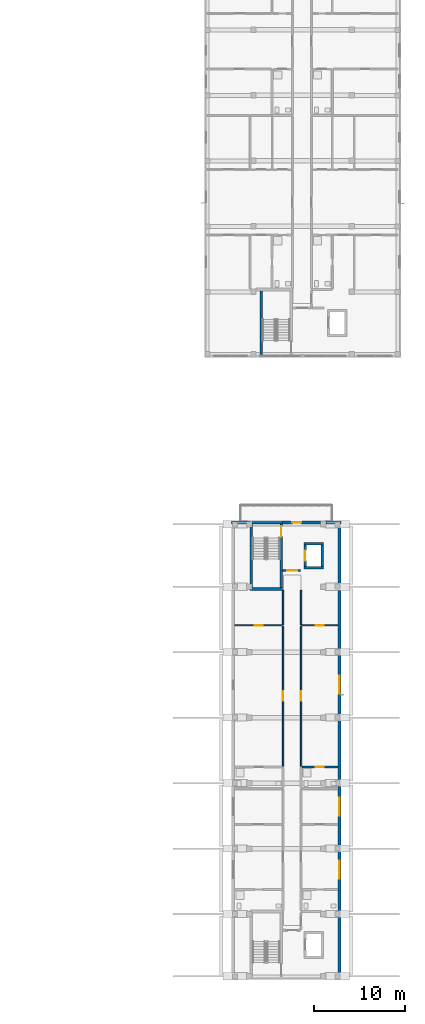
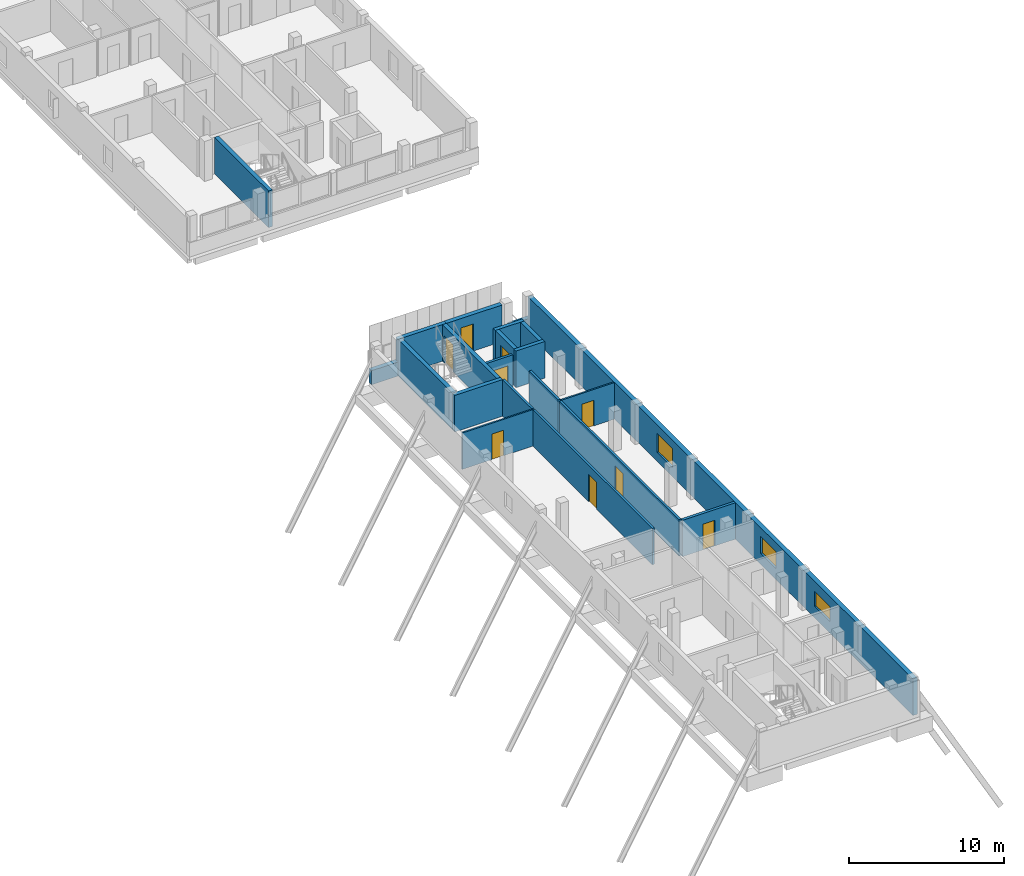
# One storey, part 18 of 34: 21 walls, 9 doors, 3 windows, 12 openings.
"""IFC4 building model written with IfcOpenShell, lengths in metres."""

from ifc_helpers import new_model, si_unit, derived_unit, direction, frame, frame_2d, origin, place, context, subcontext, project, spatial, rectangle, extrude, material, layer, layer_set, type_object, element, fill, save


model = new_model("IFC4")

# Units and contexts
model_context = context("Model", 3, precision=1e-05, world=origin(), true_north=direction((0.0, 1.0)))
body_context = subcontext(model_context, "Body", "Model", "MODEL_VIEW")
ifc_project = project(units=[si_unit("LENGTHUNIT", "METRE"), si_unit("AREAUNIT", "SQUARE_METRE"), si_unit("VOLUMEUNIT", "CUBIC_METRE"), si_unit("PLANEANGLEUNIT", "RADIAN"), si_unit("MASSUNIT", "GRAM", prefix="KILO"), derived_unit("THERMALTRANSMITTANCEUNIT", [(si_unit("MASSUNIT", "GRAM", prefix="KILO"), 1), (si_unit("TIMEUNIT", "SECOND"), -3), (si_unit("THERMODYNAMICTEMPERATUREUNIT", "KELVIN"), -1)])], contexts=[model_context])

# Site, building, storey
site_placement = place(None, origin())
site = spatial("IfcSite", under=ifc_project, at=site_placement, CompositionType="ELEMENT")
building_placement = place(site_placement, origin())
building = spatial("IfcBuilding", under=site, at=building_placement, Name="Ochrekiln Boulevard Commons", CompositionType="ELEMENT")
storey_placement = place(building_placement, frame((0.0, 0.0, 27.824951171875)))
storey = spatial("IfcBuildingStorey", under=building, at=storey_placement, Name="L08", CompositionType="ELEMENT", Elevation=27.824951171875)

# Wall, openings, windows
ifc_material_1 = material(Name="Desert ochre clinker brick masonry ASTM C216 Grade SW", Category="masonry")
ifc_layer_1 = layer(ifc_material_1, 0.330078125)
ifc_layer_set_1 = layer_set([ifc_layer_1], Name="Desert ochre clinker brick masonry ASTM C216 Grade SW")
wall_type_1 = type_object("IfcWallType", Name="WL-EXT-OCHRE-330", PredefinedType="SOLIDWALL", material=ifc_layer_set_1)
wall_1_placement = place(storey_placement, frame((166.034912109375, 0.330078125, 0.0), z_axis=(0.0, 0.0, 1.0), x_axis=(0.0, 1.0, 0.0)))
wall_1 = element("IfcWall", 1, at=wall_1_placement, inside=storey, type_object=wall_type_1, Name="Block C L08 E Exterior Wall", PredefinedType="SOLIDWALL", context=body_context, shape_type="SweptSolid", body=[
    extrude(rectangle(XDim=49.739990234375, YDim=0.330078125, at=frame_2d((24.8701171875, 0.0))), origin(), (0.0, 0.0, 1.0), 2.89013671875),
])
opening_1_placement = place(wall_1_placement, frame((10.72509765625, 0.0, 0.89990234375)))
opening_1 = element("IfcOpeningElement", 2, at=opening_1_placement, cuts=wall_1, Name="Opening W-46", PredefinedType="OPENING", context=body_context, shape_type="SweptSolid", body=[
    extrude(rectangle(XDim=2.0, YDim=1.199951171875, at=frame_2d((1.0, 0.60009765625))), frame((0.0, 0.175048828125, 0.0), z_axis=(0.0, -1.0, 0.0), x_axis=(1.0, 0.0, 0.0)), (0.0, 0.0, 1.0), 0.35009765625),
])
opening_2_placement = place(wall_1_placement, frame((17.6708984375, 0.0, 0.85498046875)))
opening_2 = element("IfcOpeningElement", 3, at=opening_2_placement, cuts=wall_1, Name="Opening W-47", PredefinedType="OPENING", context=body_context, shape_type="SweptSolid", body=[
    extrude(rectangle(XDim=2.0, YDim=1.35009765625, at=frame_2d((1.0, 0.675048828125))), frame((0.0, 0.175048828125, 0.0), z_axis=(0.0, -1.0, 0.0), x_axis=(1.0, 0.0, 0.0)), (0.0, 0.0, 1.0), 0.35009765625),
])
opening_3_placement = place(wall_1_placement, frame((31.070068359375, 0.0, 0.705078125)))
opening_3 = element("IfcOpeningElement", 4, at=opening_3_placement, cuts=wall_1, Name="Opening W-48", PredefinedType="OPENING", context=body_context, shape_type="SweptSolid", body=[
    extrude(rectangle(XDim=2.0, YDim=1.5, at=frame_2d((1.0, 0.75))), frame((0.0, 0.175048828125, 0.0), z_axis=(0.0, -1.0, 0.0), x_axis=(1.0, 0.0, 0.0)), (0.0, 0.0, 1.0), 0.35009765625),
])
ifc_material_2 = material(Name="Thermally broken aluminium-clad oak frame", Category="aluminium")
window_type_1 = type_object("IfcWindowType", Name="WIN-EXT-46", PartitioningType="DOUBLE_PANEL_VERTICAL", PredefinedType="WINDOW", material=ifc_material_2)
window_1_placement = place(opening_1_placement, origin())
window_1 = element("IfcWindow", 5, at=window_1_placement, inside=storey, type_object=window_type_1, Name="Block C L08 Punched Masonry Window W-46", OverallHeight=1.199951171875, OverallWidth=2.0, PartitioningType="DOUBLE_PANEL_VERTICAL", PredefinedType="WINDOW", context=body_context, shape_type="SweptSolid", body=[
    extrude(rectangle(XDim=2.0, YDim=1.199951171875, at=frame_2d((1.0, 0.60009765625))), frame((0.0, 0.030029296875, 0.0), z_axis=(0.0, -1.0, 0.0), x_axis=(1.0, 0.0, 0.0)), (0.0, 0.0, 1.0), 0.06005859375),
])
fill(opening_1, window_1)
window_type_2 = type_object("IfcWindowType", Name="WIN-EXT-47", PartitioningType="DOUBLE_PANEL_VERTICAL", PredefinedType="WINDOW", material=ifc_material_2)
window_2_placement = place(opening_2_placement, origin())
window_2 = element("IfcWindow", 6, at=window_2_placement, inside=storey, type_object=window_type_2, Name="Block C L08 Punched Masonry Window W-47", OverallHeight=1.35009765625, OverallWidth=2.0, PartitioningType="DOUBLE_PANEL_VERTICAL", PredefinedType="WINDOW", context=body_context, shape_type="SweptSolid", body=[
    extrude(rectangle(XDim=2.0, YDim=1.35009765625, at=frame_2d((1.0, 0.675048828125))), frame((0.0, 0.030029296875, 0.0), z_axis=(0.0, -1.0, 0.0), x_axis=(1.0, 0.0, 0.0)), (0.0, 0.0, 1.0), 0.06005859375),
])
fill(opening_2, window_2)
window_type_3 = type_object("IfcWindowType", Name="WIN-EXT-48", PartitioningType="DOUBLE_PANEL_VERTICAL", PredefinedType="WINDOW", material=ifc_material_2)
window_3_placement = place(opening_3_placement, origin())
window_3 = element("IfcWindow", 7, at=window_3_placement, inside=storey, type_object=window_type_3, Name="Block C L08 Punched Masonry Window W-48", OverallHeight=1.5, OverallWidth=2.0, PartitioningType="DOUBLE_PANEL_VERTICAL", PredefinedType="WINDOW", context=body_context, shape_type="SweptSolid", body=[
    extrude(rectangle(XDim=2.0, YDim=1.5, at=frame_2d((1.0, 0.75))), frame((0.0, 0.030029296875, 0.0), z_axis=(0.0, -1.0, 0.0), x_axis=(1.0, 0.0, 0.0)), (0.0, 0.0, 1.0), 0.06005859375),
])
fill(opening_3, window_3)

# Wall, opening, door
wall_2_placement = place(storey_placement, frame((159.800048828125, 50.235107421875, 0.0), z_axis=(0.0, 0.0, 1.0), x_axis=(1.0, 0.0, 0.0)))
wall_2 = element("IfcWall", 8, at=wall_2_placement, inside=storey, type_object=wall_type_1, Name="Block C L08 North Balcony Door Wall", PredefinedType="SOLIDWALL", context=body_context, shape_type="SweptSolid", body=[
    extrude(rectangle(XDim=4.14990234375, YDim=0.330078125, at=frame_2d((2.074951171875, 0.0))), origin(), (0.0, 0.0, 1.0), 2.89013671875),
])
opening_4_placement = place(wall_2_placement, frame((1.074951171875, 0.0, 0.0)))
opening_4 = element("IfcOpeningElement", 9, at=opening_4_placement, cuts=wall_2, Name="Opening D-L08-CBL", PredefinedType="OPENING", context=body_context, shape_type="SweptSolid", body=[
    extrude(rectangle(XDim=0.949951171875, YDim=2.14990234375, at=frame_2d((0.47509765625, 1.074951171875))), frame((0.0, 0.175048828125, 0.0), z_axis=(0.0, -1.0, 0.0), x_axis=(1.0, 0.0, 0.0)), (0.0, 0.0, 1.0), 0.35009765625),
])
door_type_1 = type_object("IfcDoorType", Name="DR-EXT-BAL-095", OperationType="NOTDEFINED", PredefinedType="DOOR", material=ifc_material_2)
door_1_placement = place(opening_4_placement, origin())
door_1 = element("IfcDoor", 10, at=door_1_placement, inside=storey, type_object=door_type_1, Name="Block C L08 North Courtyard Balcony Door", OperationType="SINGLE_SWING_LEFT", OverallHeight=2.14990234375, OverallWidth=0.949951171875, PredefinedType="DOOR", context=body_context, shape_type="SweptSolid", body=[
    extrude(rectangle(XDim=0.949951171875, YDim=2.14990234375, at=frame_2d((0.47509765625, 1.074951171875))), frame((0.0, 0.02490234375, 0.0), z_axis=(0.0, -1.0, 0.0), x_axis=(1.0, 0.0, 0.0)), (0.0, 0.0, 1.0), 0.050048828125),
])
fill(opening_4, door_1)

# Walls
wall_3_placement = place(storey_placement, frame((154.199951171875, 50.235107421875, 0.0), z_axis=(0.0, 0.0, 1.0), x_axis=(1.0, 0.0, 0.0)))
element("IfcWall", 11, at=wall_3_placement, inside=storey, type_object=wall_type_1, Name="Block C L08 Courtyard Gable Sill Wall L", PredefinedType="SOLIDWALL", context=body_context, shape_type="SweptSolid", body=[
    extrude(rectangle(XDim=2.0, YDim=0.330078125, at=frame_2d((1.0, 0.0))), origin(), (0.0, 0.0, 1.0), 1.110107421875),
])
wall_4_placement = place(storey_placement, frame((164.550048828125, 50.235107421875, 0.0), z_axis=(0.0, 0.0, 1.0), x_axis=(1.0, 0.0, 0.0)))
element("IfcWall", 12, at=wall_4_placement, inside=storey, type_object=wall_type_1, Name="Block C L08 Courtyard Gable Sill Wall R", PredefinedType="SOLIDWALL", context=body_context, shape_type="SweptSolid", body=[
    extrude(rectangle(XDim=1.64990234375, YDim=0.330078125, at=frame_2d((0.824951171875, 0.0))), origin(), (0.0, 0.0, 1.0), 1.110107421875),
])

# Wall, opening, door
ifc_material_3 = material(Name="Moisture-resistant cementitious tile backer wall")
ifc_layer_2 = layer(ifc_material_3, 0.199951171875)
ifc_layer_set_2 = layer_set([ifc_layer_2], Name="Moisture-resistant cementitious tile backer wall")
wall_type_2 = type_object("IfcWallType", Name="WL-PLM-200", PredefinedType="PLUMBINGWALL", material=ifc_layer_set_2)
wall_5_placement = place(storey_placement, frame((161.923095703125, 23.365966796875, 0.0), z_axis=(0.0, 0.0, 1.0), x_axis=(1.0, 0.0, 0.0)))
wall_5 = element("IfcWall", 13, at=wall_5_placement, inside=storey, type_object=wall_type_2, Name="L08 Interior Wall W-PW200", PredefinedType="PLUMBINGWALL", context=body_context, shape_type="SweptSolid", body=[
    extrude(rectangle(XDim=3.947021484375, YDim=0.199951171875, at=frame_2d((1.9736328125, 0.0))), origin(), (0.0, 0.0, 1.0), 2.8701171875),
])
opening_5_placement = place(wall_5_placement, frame((1.52197265625, 0.0, 0.0)))
opening_5 = element("IfcOpeningElement", 14, at=opening_5_placement, cuts=wall_5, Name="Opening D-L08-1073", PredefinedType="OPENING", context=body_context, shape_type="SweptSolid", body=[
    extrude(rectangle(XDim=0.889892578125, YDim=2.030029296875, at=frame_2d((0.44482421875, 1.01513671875))), frame((0.0, 0.10986328125, 0.0), z_axis=(0.0, -1.0, 0.0), x_axis=(1.0, 0.0, 0.0)), (0.0, 0.0, 1.0), 0.219970703125),
])
ifc_material_4 = material(Name="Solid core architectural oak door leaf")
door_type_2 = type_object("IfcDoorType", Name="DR-INT-BTH-089", OperationType="NOTDEFINED", PredefinedType="DOOR", material=ifc_material_4)
door_2_placement = place(opening_5_placement, frame((0.889892578125, 0.0, 0.0), z_axis=(0.0, 0.0, 1.0), x_axis=(-1.0, 0.0, 0.0)))
door_2 = element("IfcDoor", 15, at=door_2_placement, inside=storey, type_object=door_type_2, Name="L08 Interior Door to Loft Bathroom", OperationType="SINGLE_SWING_LEFT", OverallHeight=2.030029296875, OverallWidth=0.889892578125, PredefinedType="DOOR", context=body_context, shape_type="SweptSolid", body=[
    extrude(rectangle(XDim=0.889892578125, YDim=2.030029296875, at=frame_2d((0.44482421875, 1.01513671875))), frame((0.0, 0.02490234375, 0.0), z_axis=(0.0, -1.0, 0.0), x_axis=(1.0, 0.0, 0.0)), (0.0, 0.0, 1.0), 0.050048828125),
])
fill(opening_5, door_2)

ifc_material_5 = material(Name="Fire-rated Type X gypsum board on steel studs", Category="steel")
ifc_layer_3 = layer(ifc_material_5, 0.1650390625)
ifc_layer_set_3 = layer_set([ifc_layer_3], Name="Fire-rated Type X gypsum board on steel studs")
wall_type_3 = type_object("IfcWallType", Name="WL-PT-CORR-165", PredefinedType="PARTITIONING", material=ifc_layer_set_3)
wall_6_placement = place(storey_placement, frame((159.860107421875, 23.446044921875, 0.0), z_axis=(0.0, 0.0, 1.0), x_axis=(0.0, 1.0, 0.0)))
wall_6 = element("IfcWall", 16, at=wall_6_placement, inside=storey, type_object=wall_type_3, Name="L08 Interior Wall W-PC165", PredefinedType="PARTITIONING", context=body_context, shape_type="SweptSolid", body=[
    extrude(rectangle(XDim=15.424072265625, YDim=0.1650390625, at=frame_2d((7.7119140625, 0.0))), origin(), (0.0, 0.0, 1.0), 2.8701171875),
])
opening_6_placement = place(wall_6_placement, frame((7.18701171875, 0.0, 0.0)))
opening_6 = element("IfcOpeningElement", 17, at=opening_6_placement, cuts=wall_6, Name="Opening D-L08-1064", PredefinedType="OPENING", context=body_context, shape_type="SweptSolid", body=[
    extrude(rectangle(XDim=1.050048828125, YDim=2.1298828125, at=frame_2d((0.52490234375, 1.06494140625))), frame((0.0, 0.092529296875, 0.0), z_axis=(0.0, -1.0, 0.0), x_axis=(1.0, 0.0, 0.0)), (0.0, 0.0, 1.0), 0.18505859375),
])
door_type_3 = type_object("IfcDoorType", Name="DR-INT-APT-105", OperationType="NOTDEFINED", PredefinedType="DOOR", material=ifc_material_4)
door_3_placement = place(opening_6_placement, origin())
door_3 = element("IfcDoor", 18, at=door_3_placement, inside=storey, type_object=door_type_3, Name="L08 Interior Door to Loft Living Room", OperationType="SINGLE_SWING_RIGHT", OverallHeight=2.1298828125, OverallWidth=1.050048828125, PredefinedType="DOOR", context=body_context, shape_type="SweptSolid", body=[
    extrude(rectangle(XDim=1.050048828125, YDim=2.1298828125, at=frame_2d((0.52490234375, 1.06494140625))), frame((0.0, 0.02490234375, 0.0), z_axis=(0.0, -1.0, 0.0), x_axis=(1.0, 0.0, 0.0)), (0.0, 0.0, 1.0), 0.050048828125),
])
fill(opening_6, door_3)

# Wall
wall_7_placement = place(storey_placement, frame((159.860107421875, 39.030029296875, 0.0), z_axis=(0.0, 0.0, 1.0), x_axis=(0.0, 1.0, 0.0)))
element("IfcWall", 19, at=wall_7_placement, inside=storey, type_object=wall_type_3, Name="L08 Interior Wall W-PC165", PredefinedType="PARTITIONING", context=body_context, shape_type="SweptSolid", body=[
    extrude(rectangle(XDim=3.77001953125, YDim=0.1650390625, at=frame_2d((1.885009765625, 0.0))), origin(), (0.0, 0.0, 1.0), 2.8701171875),
])

# Wall, opening, door
wall_8_placement = place(storey_placement, frame((161.840087890625, 23.446044921875, 0.0), z_axis=(0.0, 0.0, 1.0), x_axis=(0.0, 1.0, 0.0)))
wall_8 = element("IfcWall", 20, at=wall_8_placement, inside=storey, type_object=wall_type_3, Name="L08 Interior Wall W-PC165", PredefinedType="PARTITIONING", context=body_context, shape_type="SweptSolid", body=[
    extrude(rectangle(XDim=15.424072265625, YDim=0.1650390625, at=frame_2d((7.7119140625, 0.0))), origin(), (0.0, 0.0, 1.0), 2.8701171875),
])
opening_7_placement = place(wall_8_placement, frame((7.18701171875, 0.0, 0.0)))
opening_7 = element("IfcOpeningElement", 21, at=opening_7_placement, cuts=wall_8, Name="Opening D-L08-1066", PredefinedType="OPENING", context=body_context, shape_type="SweptSolid", body=[
    extrude(rectangle(XDim=1.050048828125, YDim=2.1298828125, at=frame_2d((0.52490234375, 1.06494140625))), frame((0.0, 0.092529296875, 0.0), z_axis=(0.0, -1.0, 0.0), x_axis=(1.0, 0.0, 0.0)), (0.0, 0.0, 1.0), 0.18505859375),
])
door_4_placement = place(opening_7_placement, frame((1.050048828125, 0.0, 0.0), z_axis=(0.0, 0.0, 1.0), x_axis=(-1.0, 0.0, 0.0)))
door_4 = element("IfcDoor", 22, at=door_4_placement, inside=storey, type_object=door_type_3, Name="L08 Interior Door to Loft Living Room", OperationType="SINGLE_SWING_RIGHT", OverallHeight=2.1298828125, OverallWidth=1.050048828125, PredefinedType="DOOR", context=body_context, shape_type="SweptSolid", body=[
    extrude(rectangle(XDim=1.050048828125, YDim=2.1298828125, at=frame_2d((0.52490234375, 1.06494140625))), frame((0.0, 0.02490234375, 0.0), z_axis=(0.0, -1.0, 0.0), x_axis=(1.0, 0.0, 0.0)), (0.0, 0.0, 1.0), 0.050048828125),
])
fill(opening_7, door_4)

# Wall
wall_9_placement = place(storey_placement, frame((161.840087890625, 39.030029296875, 0.0), z_axis=(0.0, 0.0, 1.0), x_axis=(0.0, 1.0, 0.0)))
element("IfcWall", 23, at=wall_9_placement, inside=storey, type_object=wall_type_3, Name="L08 Interior Wall W-PC165", PredefinedType="PARTITIONING", context=body_context, shape_type="SweptSolid", body=[
    extrude(rectangle(XDim=3.77001953125, YDim=0.1650390625, at=frame_2d((1.885009765625, 0.0))), origin(), (0.0, 0.0, 1.0), 2.8701171875),
])

# Wall, opening, door
ifc_layer_4 = layer(ifc_material_5, 0.18994140625)
ifc_layer_set_4 = layer_set([ifc_layer_4], Name="Fire-rated Type X gypsum board on steel studs")
wall_type_4 = type_object("IfcWallType", Name="WL-PT-LBY-190", PredefinedType="PARTITIONING", material=ifc_layer_set_4)
wall_10_placement = place(storey_placement, frame((159.800048828125, 44.97998046875, 0.0), z_axis=(0.0, 0.0, 1.0), x_axis=(1.0, 0.0, 0.0)))
wall_10 = element("IfcWall", 24, at=wall_10_placement, inside=storey, type_object=wall_type_4, Name="L08 Interior Wall W-PL190", PredefinedType="PARTITIONING", context=body_context, shape_type="SweptSolid", body=[
    extrude(rectangle(XDim=1.949951171875, YDim=0.18994140625, at=frame_2d((0.97509765625, 0.0))), origin(), (0.0, 0.0, 1.0), 2.8701171875),
])
opening_8_placement = place(wall_10_placement, frame((0.5, 0.0, 0.0)))
opening_8 = element("IfcOpeningElement", 25, at=opening_8_placement, cuts=wall_10, Name="Opening D-L08-1061", PredefinedType="OPENING", context=body_context, shape_type="SweptSolid", body=[
    extrude(rectangle(XDim=1.10009765625, YDim=2.1201171875, at=frame_2d((0.550048828125, 1.06005859375))), frame((0.0, 0.10498046875, 0.0), z_axis=(0.0, -1.0, 0.0), x_axis=(1.0, 0.0, 0.0)), (0.0, 0.0, 1.0), 0.2099609375),
])
ifc_material_6 = material(Name="Hollow metal fire-rated steel door assembly", Category="steel")
door_type_4 = type_object("IfcDoorType", Name="DR-LOBBY-60", OperationType="NOTDEFINED", PredefinedType="DOOR", material=ifc_material_6)
door_5_placement = place(opening_8_placement, origin())
door_5 = element("IfcDoor", 26, at=door_5_placement, inside=storey, type_object=door_type_4, Name="L08 Interior Door to Passenger Elevator Lobby", OperationType="SINGLE_SWING_LEFT", OverallHeight=2.1201171875, OverallWidth=1.10009765625, PredefinedType="DOOR", context=body_context, shape_type="SweptSolid", body=[
    extrude(rectangle(XDim=1.10009765625, YDim=2.1201171875, at=frame_2d((0.550048828125, 1.06005859375))), frame((0.0, 0.02490234375, 0.0), z_axis=(0.0, -1.0, 0.0), x_axis=(1.0, 0.0, 0.0)), (0.0, 0.0, 1.0), 0.050048828125),
])
fill(opening_8, door_5)

ifc_layer_5 = layer(ifc_material_5, 0.1201171875)
ifc_layer_set_5 = layer_set([ifc_layer_5], Name="Fire-rated Type X gypsum board on steel studs")
wall_type_5 = type_object("IfcWallType", Name="WL-PT-LGT-120", PredefinedType="PARTITIONING", material=ifc_layer_set_5)
wall_11_placement = place(storey_placement, frame((154.530029296875, 38.949951171875, 0.0), z_axis=(0.0, 0.0, 1.0), x_axis=(1.0, 0.0, 0.0)))
wall_11 = element("IfcWall", 27, at=wall_11_placement, inside=storey, type_object=wall_type_5, Name="L08 Interior Wall W-PL120", PredefinedType="PARTITIONING", context=body_context, shape_type="SweptSolid", body=[
    extrude(rectangle(XDim=5.248046875, YDim=0.1201171875, at=frame_2d((2.6240234375, 0.0))), origin(), (0.0, 0.0, 1.0), 2.8701171875),
])
opening_9_placement = place(wall_11_placement, frame((2.18994140625, 0.0, 0.0)))
opening_9 = element("IfcOpeningElement", 28, at=opening_9_placement, cuts=wall_11, Name="Opening D-L08-1070", PredefinedType="OPENING", context=body_context, shape_type="SweptSolid", body=[
    extrude(rectangle(XDim=0.8798828125, YDim=2.02001953125, at=frame_2d((0.43994140625, 1.010009765625))), frame((0.0, 0.070068359375, 0.0), z_axis=(0.0, -1.0, 0.0), x_axis=(1.0, 0.0, 0.0)), (0.0, 0.0, 1.0), 0.14013671875),
])
door_type_5 = type_object("IfcDoorType", Name="DR-INT-KIT-088", OperationType="NOTDEFINED", PredefinedType="DOOR", material=ifc_material_4)
door_6_placement = place(opening_9_placement, origin())
door_6 = element("IfcDoor", 29, at=door_6_placement, inside=storey, type_object=door_type_5, Name="L08 Interior Door to Loft Kitchen", OperationType="SINGLE_SWING_RIGHT", OverallHeight=2.02001953125, OverallWidth=0.8798828125, PredefinedType="DOOR", context=body_context, shape_type="SweptSolid", body=[
    extrude(rectangle(XDim=0.8798828125, YDim=2.02001953125, at=frame_2d((0.43994140625, 1.010009765625))), frame((0.0, 0.02490234375, 0.0), z_axis=(0.0, -1.0, 0.0), x_axis=(1.0, 0.0, 0.0)), (0.0, 0.0, 1.0), 0.050048828125),
])
fill(opening_9, door_6)

wall_12_placement = place(storey_placement, frame((161.923095703125, 38.949951171875, 0.0), z_axis=(0.0, 0.0, 1.0), x_axis=(1.0, 0.0, 0.0)))
wall_12 = element("IfcWall", 30, at=wall_12_placement, inside=storey, type_object=wall_type_5, Name="L08 Interior Wall W-PL120", PredefinedType="PARTITIONING", context=body_context, shape_type="SweptSolid", body=[
    extrude(rectangle(XDim=3.947021484375, YDim=0.1201171875, at=frame_2d((1.9736328125, 0.0))), origin(), (0.0, 0.0, 1.0), 2.8701171875),
])
opening_10_placement = place(wall_12_placement, frame((1.527099609375, 0.0, 0.0)))
opening_10 = element("IfcOpeningElement", 31, at=opening_10_placement, cuts=wall_12, Name="Opening D-L08-1074", PredefinedType="OPENING", context=body_context, shape_type="SweptSolid", body=[
    extrude(rectangle(XDim=0.8798828125, YDim=2.02001953125, at=frame_2d((0.43994140625, 1.010009765625))), frame((0.0, 0.070068359375, 0.0), z_axis=(0.0, -1.0, 0.0), x_axis=(1.0, 0.0, 0.0)), (0.0, 0.0, 1.0), 0.14013671875),
])
door_7_placement = place(opening_10_placement, origin())
door_7 = element("IfcDoor", 32, at=door_7_placement, inside=storey, type_object=door_type_5, Name="L08 Interior Door to Loft Kitchen", OperationType="SINGLE_SWING_RIGHT", OverallHeight=2.02001953125, OverallWidth=0.8798828125, PredefinedType="DOOR", context=body_context, shape_type="SweptSolid", body=[
    extrude(rectangle(XDim=0.8798828125, YDim=2.02001953125, at=frame_2d((0.43994140625, 1.010009765625))), frame((0.0, 0.02490234375, 0.0), z_axis=(0.0, -1.0, 0.0), x_axis=(1.0, 0.0, 0.0)), (0.0, 0.0, 1.0), 0.050048828125),
])
fill(opening_10, door_7)

# Walls
ifc_material_7 = material(Name="Concrete C40/50", Category="concrete")
ifc_layer_6 = layer(ifc_material_7, 0.27490234375)
ifc_layer_set_6 = layer_set([ifc_layer_6], Name="Concrete C40/50")
wall_type_6 = type_object("IfcWallType", Name="WL-SH-275", PredefinedType="SHEAR", material=ifc_layer_set_6)
for number, where, z_axis, x_axis, name in (
    (33, (162.125, 45.262451171875, 0.0), (0.0, 0.0, 1.0), (1.0, 0.0, 0.0), "Elevator LP-C2 L08 Hoistway Shear Wall"),
    (34, (162.125, 47.9375, 0.0), (0.0, 0.0, 1.0), (1.0, 0.0, 0.0), "Elevator LP-C2 L08 Hoistway Shear Wall"),
):
    element("IfcWall", number, at=place(storey_placement, frame(where, z_axis=z_axis, x_axis=x_axis)), inside=storey, type_object=wall_type_6, Name=name, PredefinedType="SHEAR", context=body_context, shape_type="SweptSolid", body=[
        extrude(rectangle(XDim=2.14990234375, YDim=0.27490234375, at=frame_2d((1.074951171875, 0.0))), origin(), (0.0, 0.0, 1.0), 2.89013671875),
    ])

# Wall, opening, door
wall_13_placement = place(storey_placement, frame((162.262451171875, 45.39990234375, 0.0), z_axis=(0.0, 0.0, 1.0), x_axis=(0.0, 1.0, 0.0)))
wall_13 = element("IfcWall", 35, at=wall_13_placement, inside=storey, type_object=wall_type_6, Name="Elevator LP-C2 L08 Hoistway Shear Wall", PredefinedType="SHEAR", context=body_context, shape_type="SweptSolid", body=[
    extrude(rectangle(XDim=2.400146484375, YDim=0.27490234375, at=frame_2d((1.2001953125, 0.0))), origin(), (0.0, 0.0, 1.0), 2.89013671875),
])
opening_11_placement = place(wall_13_placement, frame((0.64990234375, 0.0, 0.0)))
opening_11 = element("IfcOpeningElement", 36, at=opening_11_placement, cuts=wall_13, Name="Opening LD-LP-C2-L08", PredefinedType="OPENING", context=body_context, shape_type="SweptSolid", body=[
    extrude(rectangle(XDim=1.10009765625, YDim=2.14990234375, at=frame_2d((0.550048828125, 1.074951171875))), frame((0.0, 0.1474609375, 0.0), z_axis=(0.0, -1.0, 0.0), x_axis=(1.0, 0.0, 0.0)), (0.0, 0.0, 1.0), 0.294921875),
])
ifc_material_8 = material(Name="Brushed stainless steel 316 elevator cab and doors", Category="steel")
door_type_6 = type_object("IfcDoorType", Name="DR-LIFT-LD90", OperationType="SLIDING_TO_LEFT", PredefinedType="DOOR", material=ifc_material_8)
door_8_placement = place(opening_11_placement, origin())
door_8 = element("IfcDoor", 37, at=door_8_placement, inside=storey, type_object=door_type_6, Name="Elevator LP-C2 L08 Sliding Landing Door LD-LP-C2-L08", OperationType="SLIDING_TO_LEFT", OverallHeight=2.14990234375, OverallWidth=1.10009765625, PredefinedType="DOOR", context=body_context, shape_type="SweptSolid", body=[
    extrude(rectangle(XDim=1.10009765625, YDim=2.14990234375, at=frame_2d((0.550048828125, 1.074951171875))), frame((0.0, 0.02490234375, 0.0), z_axis=(0.0, -1.0, 0.0), x_axis=(1.0, 0.0, 0.0)), (0.0, 0.0, 1.0), 0.050048828125),
])
fill(opening_11, door_8)

# Walls
wall_14_placement = place(storey_placement, frame((164.137451171875, 45.39990234375, 0.0), z_axis=(0.0, 0.0, 1.0), x_axis=(0.0, 1.0, 0.0)))
element("IfcWall", 38, at=wall_14_placement, inside=storey, type_object=wall_type_6, Name="Elevator LP-C2 L08 Hoistway Shear Wall", PredefinedType="SHEAR", context=body_context, shape_type="SweptSolid", body=[
    extrude(rectangle(XDim=2.400146484375, YDim=0.27490234375, at=frame_2d((1.2001953125, 0.0))), origin(), (0.0, 0.0, 1.0), 2.89013671875),
])
ifc_layer_7 = layer(ifc_material_7, 0.300048828125)
ifc_layer_set_7 = layer_set([ifc_layer_7], Name="Concrete C40/50")
wall_type_7 = type_object("IfcWallType", Name="WL-SH-300", PredefinedType="SHEAR", material=ifc_layer_set_7)
wall_15_placement = place(storey_placement, frame((157.449951171875, 68.719970703125, 0.0), z_axis=(0.0, 0.0, 1.0), x_axis=(0.0, 1.0, 0.0)))
element("IfcWall", 39, at=wall_15_placement, inside=storey, type_object=wall_type_7, Name="Stair ST-B1 L08 Core Shear Wall W", PredefinedType="SHEAR", context=body_context, shape_type="SweptSolid", body=[
    extrude(rectangle(XDim=7.0, YDim=0.300048828125, at=frame_2d((3.5, 0.0))), origin(), (0.0, 0.0, 1.0), 2.89013671875),
])
for number, where, z_axis, x_axis, name in (
    (40, (156.199951171875, 42.929931640625, 0.0), (0.0, 0.0, 1.0), (1.0, 0.0, 0.0), "Stair ST-C2 L08 Core Shear Wall S"),
    (41, (156.199951171875, 50.22998046875, 0.0), (0.0, 0.0, 1.0), (1.0, 0.0, 0.0), "Stair ST-C2 L08 Core Shear Wall N"),
):
    element("IfcWall", number, at=place(storey_placement, frame(where, z_axis=z_axis, x_axis=x_axis)), inside=storey, type_object=wall_type_7, Name=name, PredefinedType="SHEAR", context=body_context, shape_type="SweptSolid", body=[
        extrude(rectangle(XDim=3.60009765625, YDim=0.300048828125, at=frame_2d((1.800048828125, 0.0))), origin(), (0.0, 0.0, 1.0), 2.89013671875),
    ])
wall_16_placement = place(storey_placement, frame((156.35009765625, 43.080078125, 0.0), z_axis=(0.0, 0.0, 1.0), x_axis=(0.0, 1.0, 0.0)))
element("IfcWall", 42, at=wall_16_placement, inside=storey, type_object=wall_type_7, Name="Stair ST-C2 L08 Core Shear Wall W", PredefinedType="SHEAR", context=body_context, shape_type="SweptSolid", body=[
    extrude(rectangle(XDim=7.0, YDim=0.300048828125, at=frame_2d((3.5, 0.0))), origin(), (0.0, 0.0, 1.0), 2.89013671875),
])

# Wall, opening, door
wall_17_placement = place(storey_placement, frame((159.64990234375, 43.080078125, 0.0), z_axis=(0.0, 0.0, 1.0), x_axis=(0.0, 1.0, 0.0)))
wall_17 = element("IfcWall", 43, at=wall_17_placement, inside=storey, type_object=wall_type_7, Name="Stair ST-C2 L08 Core Shear Wall E", PredefinedType="SHEAR", context=body_context, shape_type="SweptSolid", body=[
    extrude(rectangle(XDim=7.0, YDim=0.300048828125, at=frame_2d((3.5, 0.0))), origin(), (0.0, 0.0, 1.0), 2.89013671875),
])
opening_12_placement = place(wall_17_placement, frame((5.625, 0.0, 0.0)))
opening_12 = element("IfcOpeningElement", 44, at=opening_12_placement, cuts=wall_17, Name="Opening D-L08-ST-C2", PredefinedType="OPENING", context=body_context, shape_type="SweptSolid", body=[
    extrude(rectangle(XDim=1.14990234375, YDim=2.1201171875, at=frame_2d((0.574951171875, 1.06005859375))), frame((0.0, 0.159912109375, 0.0), z_axis=(0.0, -1.0, 0.0), x_axis=(1.0, 0.0, 0.0)), (0.0, 0.0, 1.0), 0.320068359375),
])
door_type_7 = type_object("IfcDoorType", Name="DR-STAIR-90", OperationType="NOTDEFINED", PredefinedType="DOOR", material=ifc_material_6)
door_9_placement = place(opening_12_placement, origin())
door_9 = element("IfcDoor", 45, at=door_9_placement, inside=storey, type_object=door_type_7, Name="Enclosed Exit Stair ST-C2 L08 Rated Door", OperationType="SINGLE_SWING_RIGHT", OverallHeight=2.1201171875, OverallWidth=1.14990234375, PredefinedType="DOOR", context=body_context, shape_type="SweptSolid", body=[
    extrude(rectangle(XDim=1.14990234375, YDim=2.1201171875, at=frame_2d((0.574951171875, 1.06005859375))), frame((0.0, 0.02490234375, 0.0), z_axis=(0.0, -1.0, 0.0), x_axis=(1.0, 0.0, 0.0)), (0.0, 0.0, 1.0), 0.050048828125),
])
fill(opening_12, door_9)

save(model, "model.ifc")
